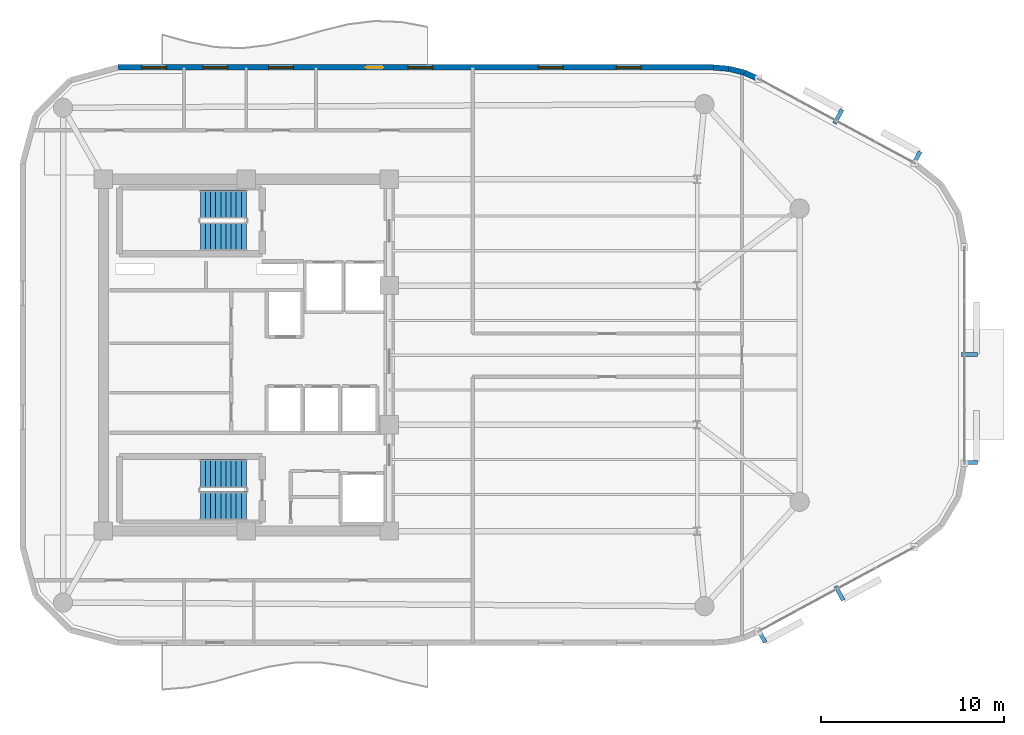
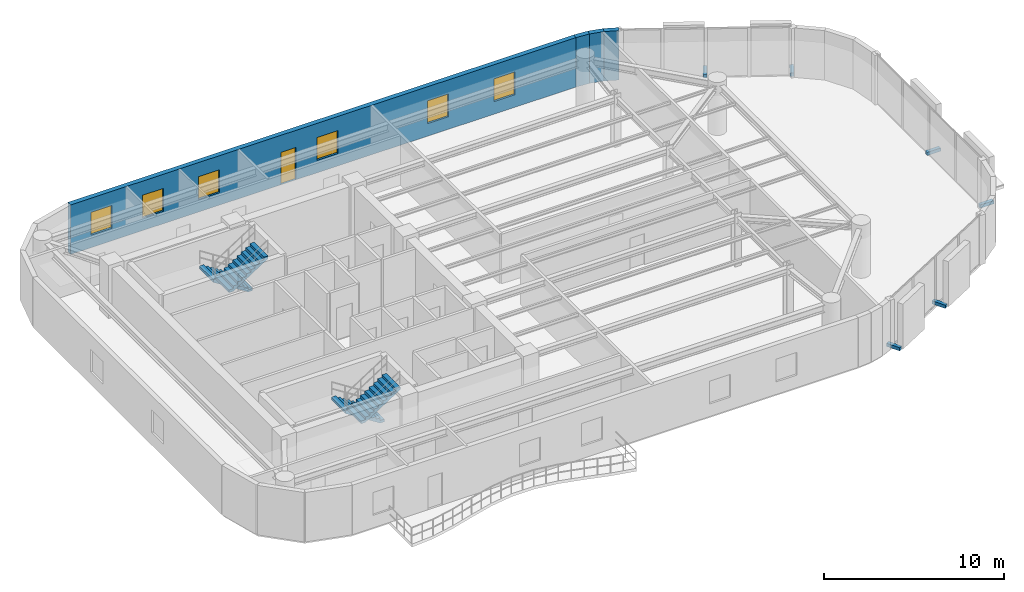
# One storey, part 11 of 13: 6 discrete accessories, 6 windows, 4 stair flights, 4 walls, 1 door, 7 openings, 2 elements without a shape of their own.
"""IFC4 building model written with IfcOpenShell, lengths in metres."""

from ifc_helpers import new_model, si_unit, direction, frame, frame_2d, origin, origin_2d, place, context, subcontext, project, spatial, polyline, rectangle, outline, extrude, material, layer, layer_set, type_object, element, fill, aggregate, save


model = new_model("IFC4")

# Units and contexts
model_context = context("Model", 3, precision=1e-05, world=origin(), true_north=direction((0.0, 1.0)))
body_context = subcontext(model_context, "Body", "Model", "MODEL_VIEW")
ifc_project = project(units=[si_unit("LENGTHUNIT", "METRE"), si_unit("AREAUNIT", "SQUARE_METRE"), si_unit("VOLUMEUNIT", "CUBIC_METRE"), si_unit("PLANEANGLEUNIT", "RADIAN"), si_unit("MASSUNIT", "GRAM", prefix="KILO")], contexts=[model_context])

# Site, building, storey
site_placement = place(None, origin())
site = spatial("IfcSite", under=ifc_project, at=site_placement, CompositionType="ELEMENT")
building_placement = place(site_placement, origin())
building = spatial("IfcBuilding", under=site, at=building_placement, Name="An Khanh Terracotta Commons", CompositionType="ELEMENT")
storey_placement = place(building_placement, frame((0.0, 0.0, 244.5)))
storey = spatial("IfcBuildingStorey", under=building, at=storey_placement, Name="L64", CompositionType="ELEMENT", Elevation=244.5)

# Walls
ifc_material_1 = material(Name="Precast concrete C40/50", Category="concrete")
ifc_layer = layer(ifc_material_1, 0.300048828125, Name="Precast concrete C40/50")
ifc_layer_set = layer_set([ifc_layer], Name="Precast concrete C40/50")
wall_type = type_object("IfcWallType", Name="WALL-EXT-300", PredefinedType="SOLIDWALL", material=ifc_layer_set)
wall_1_placement = place(storey_placement, frame((57.35693359375, 39.074951171875, 0.0), z_axis=(0.0, 0.0, 1.0), x_axis=(-0.916085473636, 0.400983048261, 0.0)))
element("IfcWall", 1, at=wall_1_placement, inside=storey, type_object=wall_type, Name="L64 Insulated Terracotta Exterior Wall 17", PredefinedType="SOLIDWALL", context=body_context, shape_type="SweptSolid", body=[
    extrude(rectangle(XDim=0.85791015625, YDim=0.300048828125, at=frame_2d((0.428955078125, 0.0))), origin(), (0.0, 0.0, 1.0), 3.360107421875),
])
wall_2_placement = place(storey_placement, frame((56.571044921875, 39.4189453125, 0.0), z_axis=(0.0, 0.0, 1.0), x_axis=(-0.969536346338, 0.244947490555, 0.0)))
element("IfcWall", 2, at=wall_2_placement, inside=storey, type_object=wall_type, Name="L64 Insulated Terracotta Exterior Wall 18", PredefinedType="SOLIDWALL", context=body_context, shape_type="SweptSolid", body=[
    extrude(rectangle(XDim=0.857177734375, YDim=0.300048828125, at=frame_2d((0.4287109375, 0.0))), origin(), (0.0, 0.0, 1.0), 3.360107421875),
])
wall_3_placement = place(storey_placement, frame((55.739990234375, 39.62890625, 0.0), z_axis=(0.0, 0.0, 1.0), x_axis=(-0.996565355958, 0.082809971041, 0.0)))
element("IfcWall", 3, at=wall_3_placement, inside=storey, type_object=wall_type, Name="L64 Insulated Terracotta Exterior Wall 19", PredefinedType="SOLIDWALL", context=body_context, shape_type="SweptSolid", body=[
    extrude(rectangle(XDim=0.85791015625, YDim=0.300048828125, at=frame_2d((0.428955078125, 0.0))), origin(), (0.0, 0.0, 1.0), 3.360107421875),
])

# Wall, openings, door, windows
wall_4_placement = place(storey_placement, frame((54.885009765625, 39.699951171875, 0.0), z_axis=(0.0, 0.0, 1.0), x_axis=(-1.0, 0.0, 0.0)))
wall_4 = element("IfcWall", 4, at=wall_4_placement, inside=storey, type_object=wall_type, Name="L64 Insulated Terracotta Exterior Wall 20", PredefinedType="SOLIDWALL", context=body_context, shape_type="SweptSolid", body=[
    extrude(rectangle(XDim=32.485107421875, YDim=0.300048828125, at=frame_2d((16.24267578125, 0.0))), origin(), (0.0, 0.0, 1.0), 3.360107421875),
])
opening_1_placement = place(wall_4_placement, frame((18.010009765625, 0.0, 0.0)))
opening_1 = element("IfcOpeningElement", 5, at=opening_1_placement, cuts=wall_4, Name="Opening D-BAL", PredefinedType="OPENING", context=body_context, shape_type="SweptSolid", body=[
    extrude(rectangle(XDim=0.949951171875, YDim=2.199951171875, at=frame_2d((0.47509765625, 1.10009765625))), frame((0.0, 0.159912109375, 0.0), z_axis=(0.0, -1.0, 0.0), x_axis=(1.0, 0.0, 0.0)), (0.0, 0.0, 1.0), 0.320068359375),
])
opening_2_placement = place(wall_4_placement, frame((3.93701171875, 0.0, 0.85009765625)))
opening_2 = element("IfcOpeningElement", 6, at=opening_2_placement, cuts=wall_4, Name="Opening W-04", PredefinedType="OPENING", context=body_context, shape_type="SweptSolid", body=[
    extrude(rectangle(XDim=1.35009765625, YDim=1.550048828125, at=frame_2d((0.675048828125, 0.77490234375))), frame((0.0, 0.159912109375, 0.0), z_axis=(0.0, -1.0, 0.0), x_axis=(1.0, 0.0, 0.0)), (0.0, 0.0, 1.0), 0.320068359375),
])
opening_3_placement = place(wall_4_placement, frame((8.197998046875, 0.0, 0.85009765625)))
opening_3 = element("IfcOpeningElement", 7, at=opening_3_placement, cuts=wall_4, Name="Opening W-04", PredefinedType="OPENING", context=body_context, shape_type="SweptSolid", body=[
    extrude(rectangle(XDim=1.35009765625, YDim=1.550048828125, at=frame_2d((0.675048828125, 0.77490234375))), frame((0.0, 0.159912109375, 0.0), z_axis=(0.0, -1.0, 0.0), x_axis=(1.0, 0.0, 0.0)), (0.0, 0.0, 1.0), 0.320068359375),
])
opening_4_placement = place(wall_4_placement, frame((15.31005859375, 0.0, 0.85009765625)))
opening_4 = element("IfcOpeningElement", 8, at=opening_4_placement, cuts=wall_4, Name="Opening W-04", PredefinedType="OPENING", context=body_context, shape_type="SweptSolid", body=[
    extrude(rectangle(XDim=1.35009765625, YDim=1.550048828125, at=frame_2d((0.675048828125, 0.77490234375))), frame((0.0, 0.159912109375, 0.0), z_axis=(0.0, -1.0, 0.0), x_axis=(1.0, 0.0, 0.0)), (0.0, 0.0, 1.0), 0.320068359375),
])
opening_5_placement = place(wall_4_placement, frame((22.909912109375, 0.0, 0.85009765625)))
opening_5 = element("IfcOpeningElement", 9, at=opening_5_placement, cuts=wall_4, Name="Opening W-04", PredefinedType="OPENING", context=body_context, shape_type="SweptSolid", body=[
    extrude(rectangle(XDim=1.35009765625, YDim=1.550048828125, at=frame_2d((0.675048828125, 0.77490234375))), frame((0.0, 0.159912109375, 0.0), z_axis=(0.0, -1.0, 0.0), x_axis=(1.0, 0.0, 0.0)), (0.0, 0.0, 1.0), 0.320068359375),
])
opening_6_placement = place(wall_4_placement, frame((26.510009765625, 0.0, 0.85009765625)))
opening_6 = element("IfcOpeningElement", 10, at=opening_6_placement, cuts=wall_4, Name="Opening W-04", PredefinedType="OPENING", context=body_context, shape_type="SweptSolid", body=[
    extrude(rectangle(XDim=1.35009765625, YDim=1.550048828125, at=frame_2d((0.675048828125, 0.77490234375))), frame((0.0, 0.159912109375, 0.0), z_axis=(0.0, -1.0, 0.0), x_axis=(1.0, 0.0, 0.0)), (0.0, 0.0, 1.0), 0.320068359375),
])
opening_7_placement = place(wall_4_placement, frame((29.8349609375, 0.0, 0.85009765625)))
opening_7 = element("IfcOpeningElement", 11, at=opening_7_placement, cuts=wall_4, Name="Opening W-04", PredefinedType="OPENING", context=body_context, shape_type="SweptSolid", body=[
    extrude(rectangle(XDim=1.35009765625, YDim=1.550048828125, at=frame_2d((0.675048828125, 0.77490234375))), frame((0.0, 0.159912109375, 0.0), z_axis=(0.0, -1.0, 0.0), x_axis=(1.0, 0.0, 0.0)), (0.0, 0.0, 1.0), 0.320068359375),
])
ifc_material_2 = material(Name="Thermally Broken Aluminium and Low-E Glass", Category="aluminium")
door_type = type_object("IfcDoorType", Name="DOOR-BALC-950", OperationType="NOTDEFINED", PredefinedType="DOOR", material=ifc_material_2)
door_placement = place(opening_1_placement, origin())
door = element("IfcDoor", 12, at=door_placement, inside=storey, type_object=door_type, Name="L64 N Wave Balcony Glazed Door", OperationType="SINGLE_SWING_RIGHT", OverallHeight=2.199951171875, OverallWidth=0.949951171875, PredefinedType="DOOR", context=body_context, shape_type="SweptSolid", body=[
    extrude(rectangle(XDim=0.949951171875, YDim=2.199951171875, at=frame_2d((0.47509765625, 1.10009765625))), frame((0.0, 0.02490234375, 0.0), z_axis=(0.0, -1.0, 0.0), x_axis=(1.0, 0.0, 0.0)), (0.0, 0.0, 1.0), 0.050048828125),
])
fill(opening_1, door)
window_type = type_object("IfcWindowType", Name="WIN-Z4-1350x1550", PartitioningType="SINGLE_PANEL", PredefinedType="WINDOW", material=ifc_material_2)
window_1_placement = place(opening_2_placement, origin())
window_1 = element("IfcWindow", 13, at=window_1_placement, inside=storey, type_object=window_type, Name="L64 Operable Casement Window 20.1", OverallHeight=1.550048828125, OverallWidth=1.35009765625, PartitioningType="SINGLE_PANEL", PredefinedType="WINDOW", context=body_context, shape_type="SweptSolid", body=[
    extrude(rectangle(XDim=1.35009765625, YDim=1.550048828125, at=frame_2d((0.675048828125, 0.77490234375))), frame((0.0, 0.030029296875, 0.0), z_axis=(0.0, -1.0, 0.0), x_axis=(1.0, 0.0, 0.0)), (0.0, 0.0, 1.0), 0.06005859375),
])
fill(opening_2, window_1)
window_2_placement = place(opening_3_placement, origin())
window_2 = element("IfcWindow", 14, at=window_2_placement, inside=storey, type_object=window_type, Name="L64 Operable Casement Window 20.2", OverallHeight=1.550048828125, OverallWidth=1.35009765625, PartitioningType="SINGLE_PANEL", PredefinedType="WINDOW", context=body_context, shape_type="SweptSolid", body=[
    extrude(rectangle(XDim=1.35009765625, YDim=1.550048828125, at=frame_2d((0.675048828125, 0.77490234375))), frame((0.0, 0.030029296875, 0.0), z_axis=(0.0, -1.0, 0.0), x_axis=(1.0, 0.0, 0.0)), (0.0, 0.0, 1.0), 0.06005859375),
])
fill(opening_3, window_2)
window_3_placement = place(opening_4_placement, origin())
window_3 = element("IfcWindow", 15, at=window_3_placement, inside=storey, type_object=window_type, Name="L64 Operable Casement Window 20.3", OverallHeight=1.550048828125, OverallWidth=1.35009765625, PartitioningType="SINGLE_PANEL", PredefinedType="WINDOW", context=body_context, shape_type="SweptSolid", body=[
    extrude(rectangle(XDim=1.35009765625, YDim=1.550048828125, at=frame_2d((0.675048828125, 0.77490234375))), frame((0.0, 0.030029296875, 0.0), z_axis=(0.0, -1.0, 0.0), x_axis=(1.0, 0.0, 0.0)), (0.0, 0.0, 1.0), 0.06005859375),
])
fill(opening_4, window_3)
window_4_placement = place(opening_5_placement, origin())
window_4 = element("IfcWindow", 16, at=window_4_placement, inside=storey, type_object=window_type, Name="L64 Operable Casement Window 20.4", OverallHeight=1.550048828125, OverallWidth=1.35009765625, PartitioningType="SINGLE_PANEL", PredefinedType="WINDOW", context=body_context, shape_type="SweptSolid", body=[
    extrude(rectangle(XDim=1.35009765625, YDim=1.550048828125, at=frame_2d((0.675048828125, 0.77490234375))), frame((0.0, 0.030029296875, 0.0), z_axis=(0.0, -1.0, 0.0), x_axis=(1.0, 0.0, 0.0)), (0.0, 0.0, 1.0), 0.06005859375),
])
fill(opening_5, window_4)
window_5_placement = place(opening_6_placement, origin())
window_5 = element("IfcWindow", 17, at=window_5_placement, inside=storey, type_object=window_type, Name="L64 Operable Casement Window 20.5", OverallHeight=1.550048828125, OverallWidth=1.35009765625, PartitioningType="SINGLE_PANEL", PredefinedType="WINDOW", context=body_context, shape_type="SweptSolid", body=[
    extrude(rectangle(XDim=1.35009765625, YDim=1.550048828125, at=frame_2d((0.675048828125, 0.77490234375))), frame((0.0, 0.030029296875, 0.0), z_axis=(0.0, -1.0, 0.0), x_axis=(1.0, 0.0, 0.0)), (0.0, 0.0, 1.0), 0.06005859375),
])
fill(opening_6, window_5)
window_6_placement = place(opening_7_placement, origin())
window_6 = element("IfcWindow", 18, at=window_6_placement, inside=storey, type_object=window_type, Name="L64 Operable Casement Window 20.6", OverallHeight=1.550048828125, OverallWidth=1.35009765625, PartitioningType="SINGLE_PANEL", PredefinedType="WINDOW", context=body_context, shape_type="SweptSolid", body=[
    extrude(rectangle(XDim=1.35009765625, YDim=1.550048828125, at=frame_2d((0.675048828125, 0.77490234375))), frame((0.0, 0.030029296875, 0.0), z_axis=(0.0, -1.0, 0.0), x_axis=(1.0, 0.0, 0.0)), (0.0, 0.0, 1.0), 0.06005859375),
])
fill(opening_7, window_6)

# Stair, stair flights
stair_type = type_object("IfcStairType", Name="STAIR-CORE-1550", PredefinedType="HALF_TURN_STAIR", material=ifc_material_1)
stair_1_placement = place(storey_placement, origin())
stair_1 = element("IfcStair", 19, at=stair_1_placement, inside=storey, type_object=stair_type, Name="L64 Core Smokeproof Exit Stair ST-01", PredefinedType="HALF_TURN_STAIR")
stair_flight_type = type_object("IfcStairFlightType", Name="FLIGHT-CORE-1550", PredefinedType="STRAIGHT", material=ifc_material_1)
stair_flight_1_placement = place(storey_placement, frame((29.409912109375, 32.22509765625, 0.0), z_axis=(0.0, 0.0, 1.0), x_axis=(-1.0, 0.0, 0.0)))
stair_flight_1 = element("IfcStairFlight", 20, at=stair_flight_1_placement, type_object=stair_flight_type, Name="ST-01 flight 1", NumberOfRisers=10, NumberOfTreads=9, PredefinedType="STRAIGHT", RiserHeight=0.18, TreadLength=0.28, context=body_context, shape_type="SweptSolid", body=[
    extrude(outline(polyline([(0.0, 0.0), (0.0, 0.179931640625), (0.280029296875, 0.179931640625), (0.280029296875, 0.360107421875), (0.56005859375, 0.360107421875), (0.56005859375, 0.5400390625), (0.840087890625, 0.5400390625), (0.840087890625, 0.719970703125), (1.1201171875, 0.719970703125), (1.1201171875, 0.89990234375), (1.39990234375, 0.89990234375), (1.39990234375, 1.080078125), (1.679931640625, 1.080078125), (1.679931640625, 1.260009765625), (1.9599609375, 1.260009765625), (1.9599609375, 1.43994140625), (2.239990234375, 1.43994140625), (2.239990234375, 1.6201171875), (2.52001953125, 1.6201171875), (2.52001953125, 1.800048828125), (2.52001953125, 1.44189453125), (0.277099609375, 0.0), (0.0, 0.0)])), frame((0.0, 0.77490234375, 0.0), z_axis=(0.0, -1.0, 0.0), x_axis=(1.0, 0.0, 0.0)), (0.0, 0.0, 1.0), 1.550048828125),
])
stair_flight_2_placement = place(storey_placement, frame((26.889892578125, 30.47509765625, 1.800048828125), z_axis=(0.0, 0.0, 1.0), x_axis=(1.0, 0.0, 0.0)))
stair_flight_2 = element("IfcStairFlight", 21, at=stair_flight_2_placement, type_object=stair_flight_type, Name="ST-01 flight 2", NumberOfRisers=10, NumberOfTreads=9, PredefinedType="STRAIGHT", RiserHeight=0.18, TreadLength=0.28, context=body_context, shape_type="SweptSolid", body=[
    extrude(outline(polyline([(0.0, 0.0), (0.0, 0.179931640625), (0.280029296875, 0.179931640625), (0.280029296875, 0.360107421875), (0.56005859375, 0.360107421875), (0.56005859375, 0.5400390625), (0.840087890625, 0.5400390625), (0.840087890625, 0.719970703125), (1.1201171875, 0.719970703125), (1.1201171875, 0.89990234375), (1.39990234375, 0.89990234375), (1.39990234375, 1.080078125), (1.679931640625, 1.080078125), (1.679931640625, 1.260009765625), (1.9599609375, 1.260009765625), (1.9599609375, 1.43994140625), (2.239990234375, 1.43994140625), (2.239990234375, 1.6201171875), (2.52001953125, 1.6201171875), (2.52001953125, 1.800048828125), (2.52001953125, 1.44189453125), (0.277099609375, 0.0), (0.0, 0.0)])), frame((0.0, 0.77490234375, 0.0), z_axis=(0.0, -1.0, 0.0), x_axis=(1.0, 0.0, 0.0)), (0.0, 0.0, 1.0), 1.550048828125),
])
aggregate(stair_1, [stair_flight_1, stair_flight_2])

stair_2_placement = place(storey_placement, origin())
stair_2 = element("IfcStair", 22, at=stair_2_placement, inside=storey, type_object=stair_type, Name="L64 Core Smokeproof Exit Stair ST-02", PredefinedType="HALF_TURN_STAIR")
stair_flight_3_placement = place(storey_placement, frame((29.409912109375, 17.52490234375, 0.0), z_axis=(0.0, 0.0, 1.0), x_axis=(-1.0, 0.0, 0.0)))
stair_flight_3 = element("IfcStairFlight", 23, at=stair_flight_3_placement, type_object=stair_flight_type, Name="ST-02 flight 1", NumberOfRisers=10, NumberOfTreads=9, PredefinedType="STRAIGHT", RiserHeight=0.18, TreadLength=0.28, context=body_context, shape_type="SweptSolid", body=[
    extrude(outline(polyline([(0.0, 0.0), (0.0, 0.179931640625), (0.280029296875, 0.179931640625), (0.280029296875, 0.360107421875), (0.56005859375, 0.360107421875), (0.56005859375, 0.5400390625), (0.840087890625, 0.5400390625), (0.840087890625, 0.719970703125), (1.1201171875, 0.719970703125), (1.1201171875, 0.89990234375), (1.39990234375, 0.89990234375), (1.39990234375, 1.080078125), (1.679931640625, 1.080078125), (1.679931640625, 1.260009765625), (1.9599609375, 1.260009765625), (1.9599609375, 1.43994140625), (2.239990234375, 1.43994140625), (2.239990234375, 1.6201171875), (2.52001953125, 1.6201171875), (2.52001953125, 1.800048828125), (2.52001953125, 1.44189453125), (0.277099609375, 0.0), (0.0, 0.0)])), frame((0.0, 0.77490234375, 0.0), z_axis=(0.0, -1.0, 0.0), x_axis=(1.0, 0.0, 0.0)), (0.0, 0.0, 1.0), 1.550048828125),
])
stair_flight_4_placement = place(storey_placement, frame((26.889892578125, 15.77490234375, 1.800048828125), z_axis=(0.0, 0.0, 1.0), x_axis=(1.0, 0.0, 0.0)))
stair_flight_4 = element("IfcStairFlight", 24, at=stair_flight_4_placement, type_object=stair_flight_type, Name="ST-02 flight 2", NumberOfRisers=10, NumberOfTreads=9, PredefinedType="STRAIGHT", RiserHeight=0.18, TreadLength=0.28, context=body_context, shape_type="SweptSolid", body=[
    extrude(outline(polyline([(0.0, 0.0), (0.0, 0.179931640625), (0.280029296875, 0.179931640625), (0.280029296875, 0.360107421875), (0.56005859375, 0.360107421875), (0.56005859375, 0.5400390625), (0.840087890625, 0.5400390625), (0.840087890625, 0.719970703125), (1.1201171875, 0.719970703125), (1.1201171875, 0.89990234375), (1.39990234375, 0.89990234375), (1.39990234375, 1.080078125), (1.679931640625, 1.080078125), (1.679931640625, 1.260009765625), (1.9599609375, 1.260009765625), (1.9599609375, 1.43994140625), (2.239990234375, 1.43994140625), (2.239990234375, 1.6201171875), (2.52001953125, 1.6201171875), (2.52001953125, 1.800048828125), (2.52001953125, 1.44189453125), (0.277099609375, 0.0), (0.0, 0.0)])), frame((0.0, 0.77490234375, 0.0), z_axis=(0.0, -1.0, 0.0), x_axis=(1.0, 0.0, 0.0)), (0.0, 0.0, 1.0), 1.550048828125),
])
aggregate(stair_2, [stair_flight_3, stair_flight_4])

# Discrete accessories
ifc_material_3 = material(Name="Stainless Steel Grade 316L", Category="steel")
discrete_accessory_type = type_object("IfcDiscreteAccessoryType", Name="Stainless Outrigger Facade Bracket", PredefinedType="BRACKET", material=ifc_material_3)
for number, where, z_axis, x_axis, name in (
    (25, (57.513916015625, 8.7080078125, 0.06982421875), (0.0, 0.0, 1.0), (0.879780095306, 0.47538088298, 0.0), "L64 Terracotta Screen Outrigger Bracket 1"),
    (26, (61.77099609375, 11.009033203125, 0.06982421875), (0.0, 0.0, 1.0), (0.879780095306, 0.47538088298, 0.0), "L64 Terracotta Screen Outrigger Bracket 3"),
    (27, (68.864990234375, 18.135986328125, 0.06982421875), (0.0, 0.0, 1.0), (0.0, 1.0, 0.0), "L64 Terracotta Screen Outrigger Bracket 1"),
    (28, (68.864990234375, 24.034912109375, 0.06982421875), (0.0, 0.0, 1.0), (0.0, 1.0, 0.0), "L64 Terracotta Screen Outrigger Bracket 3"),
    (29, (65.967041015625, 34.72412109375, 0.06982421875), (0.0, 0.0, 1.0), (-0.879780095306, 0.47538088298, 0.0), "L64 Terracotta Screen Outrigger Bracket 1"),
    (30, (61.7099609375, 37.02392578125, 0.06982421875), (0.0, 0.0, 1.0), (-0.879780095306, 0.47538088298, 0.0), "L64 Terracotta Screen Outrigger Bracket 3"),
):
    element("IfcDiscreteAccessory", number, at=place(storey_placement, frame(where, z_axis=z_axis, x_axis=x_axis)), inside=storey, type_object=discrete_accessory_type, Name=name, PredefinedType="BRACKET", context=body_context, shape_type="SweptSolid", body=[
        extrude(rectangle(XDim=0.219970703125, YDim=0.8701171875, at=origin_2d()), origin(), (0.0, 0.0, 1.0), 0.219970703125),
    ])

save(model, "model.ifc")
